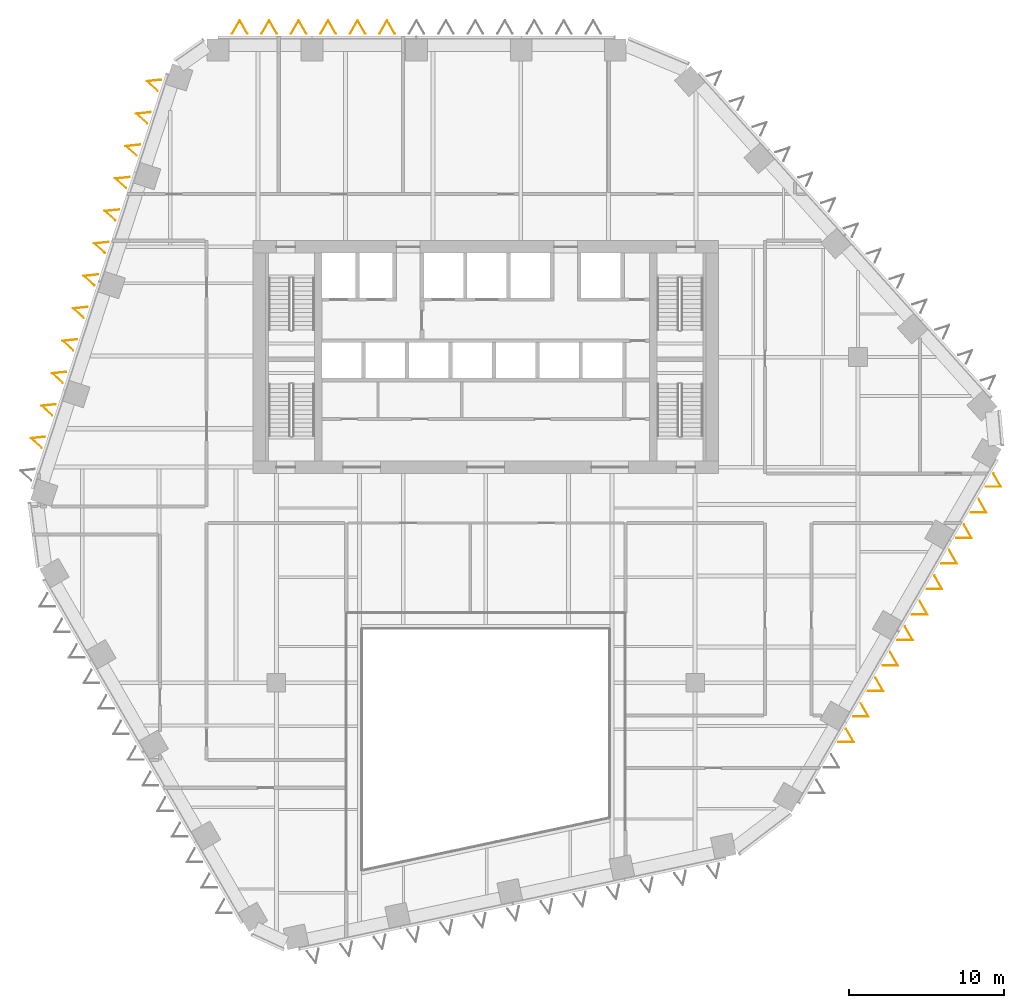
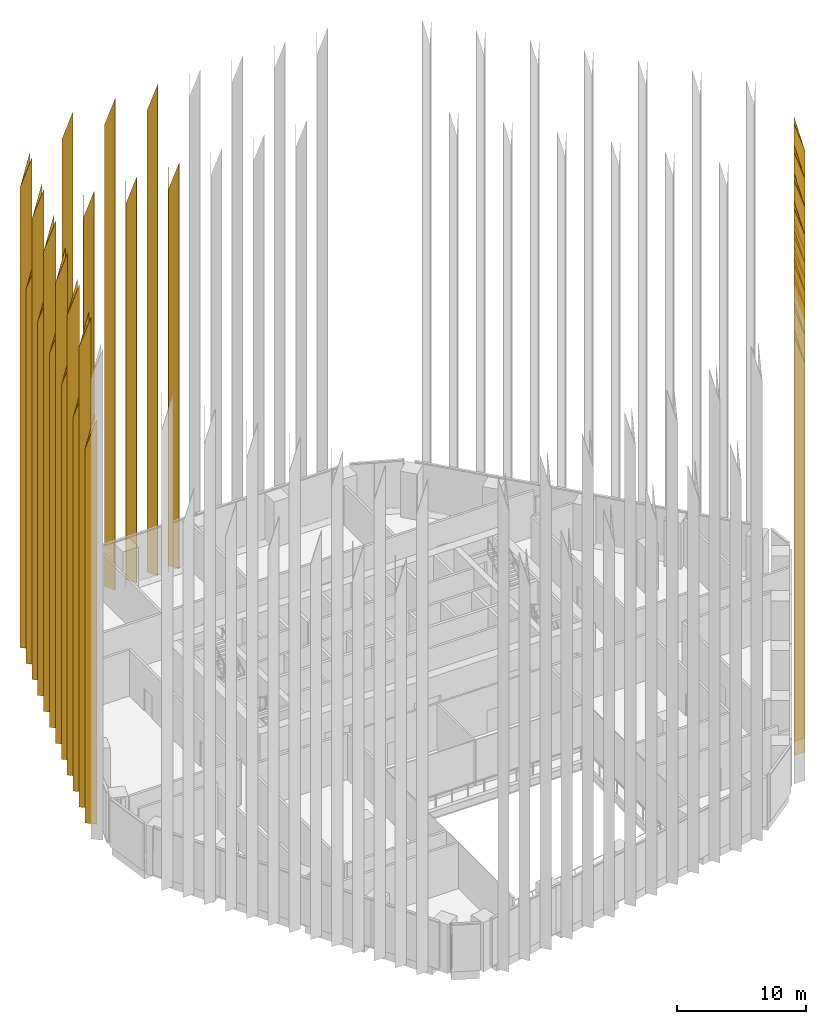
# One storey, part 17 of 18: 29 coverings.
"""IFC4 building model written with IfcOpenShell, lengths in metres."""

from ifc_helpers import new_model, si_unit, direction, frame, origin, place, context, subcontext, project, spatial, polyline, outline, faceted_brep, material, material_profile, profile_set, type_object, element, save


model = new_model("IFC4")

# Units and contexts
model_context = context("Model", 3, precision=1e-05, world=origin(), true_north=direction((0.0, 1.0)))
body_context = subcontext(model_context, "Body", "Model", "MODEL_VIEW")
ifc_project = project(units=[si_unit("LENGTHUNIT", "METRE"), si_unit("AREAUNIT", "SQUARE_METRE"), si_unit("VOLUMEUNIT", "CUBIC_METRE"), si_unit("PLANEANGLEUNIT", "RADIAN"), si_unit("MASSUNIT", "GRAM", prefix="KILO")], contexts=[model_context])

# Site, building, storey
site_placement = place(None, origin())
site = spatial("IfcSite", under=ifc_project, at=site_placement, CompositionType="ELEMENT")
building_placement = place(site_placement, origin())
building = spatial("IfcBuilding", under=site, at=building_placement, Name="Isthmus Gate Tower", CompositionType="ELEMENT")
storey_placement = place(building_placement, frame((0.0, 0.0, 166.300048828125)))
storey = spatial("IfcBuildingStorey", under=building, at=storey_placement, Name="L41", CompositionType="ELEMENT", Elevation=166.300048828125)

# Coverings
ifc_material_1 = material(Name="Structural steel ASTM A572 Gr 50, white paint system", Category="steel")
ifc_material_profile_1 = material_profile(ifc_material_1, outline(polyline([(0.0, -0.391845703125), (0.8798828125, 0.0), (0.0, 0.391845703125), (0.0, 0.35888671875), (0.80615234375, 0.0), (0.0, -0.35888671875), (0.0, -0.391845703125)])), Name="V880")
ifc_profile_set_1 = profile_set([ifc_material_profile_1], Name="Structural steel ASTM A572 Gr 50, white paint system")
covering_type_1 = type_object("IfcCoveringType", Name="FIN V 880 DEEP", PredefinedType="CLADDING", material=ifc_profile_set_1)
covering_1_placement = place(storey_placement, frame((0.0, 0.0, -166.300048828125)))
element("IfcCovering", 1, at=covering_1_placement, inside=storey, type_object=covering_type_1, Name="FIN", ObjectType="FIN", PredefinedType="CLADDING", context=body_context, shape_type="Brep", body=[
    faceted_brep([(-20.925537109375, 25.3603515625, 165.89990234375), (-21.80322265625, 25.26806640625, 165.89990234375), (-21.147216796875, 24.677734375, 165.89990234375), (-21.157470703125, 24.646484375, 165.89990234375), (-21.873291015625, 25.291015625, 165.89990234375), (-20.915283203125, 25.3916015625, 165.89990234375), (-20.915283203125, 25.3916015625, 212.39990234375), (-21.873291015625, 25.291015625, 209.39990234375), (-21.157470703125, 24.646484375, 212.39990234375), (-21.147216796875, 24.677734375, 212.39990234375), (-21.80322265625, 25.26806640625, 209.6513671875), (-20.925537109375, 25.3603515625, 212.39990234375)], [[[0, 1, 2, 3, 4, 5]], [[6, 7, 8, 9, 10, 11]], [[5, 4, 7, 6]], [[4, 3, 8, 7]], [[3, 2, 9, 8]], [[2, 1, 10, 9]], [[1, 0, 11, 10]], [[0, 5, 6, 11]]]),
])
covering_2_placement = place(storey_placement, frame((0.0, 0.0, -166.300048828125)))
element("IfcCovering", 2, at=covering_2_placement, inside=storey, type_object=covering_type_1, Name="FIN", ObjectType="FIN", PredefinedType="CLADDING", context=body_context, shape_type="Brep", body=[
    faceted_brep([(-21.60546875, 23.267822265625, 165.89990234375), (-22.483154296875, 23.175537109375, 165.89990234375), (-21.8271484375, 22.585205078125, 165.89990234375), (-21.83740234375, 22.553955078125, 165.89990234375), (-22.55322265625, 23.198486328125, 165.89990234375), (-21.59521484375, 23.299072265625, 165.89990234375), (-21.59521484375, 23.299072265625, 204.25), (-22.55322265625, 23.198486328125, 201.25), (-21.83740234375, 22.553955078125, 204.25), (-21.8271484375, 22.585205078125, 204.25), (-22.483154296875, 23.175537109375, 201.50146484375), (-21.60546875, 23.267822265625, 204.25)], [[[0, 1, 2, 3, 4, 5]], [[6, 7, 8, 9, 10, 11]], [[5, 4, 7, 6]], [[4, 3, 8, 7]], [[3, 2, 9, 8]], [[2, 1, 10, 9]], [[1, 0, 11, 10]], [[0, 5, 6, 11]]]),
])
covering_3_placement = place(storey_placement, frame((0.0, 0.0, -166.300048828125)))
element("IfcCovering", 3, at=covering_3_placement, inside=storey, type_object=covering_type_1, Name="FIN", ObjectType="FIN", PredefinedType="CLADDING", context=body_context, shape_type="Brep", body=[
    faceted_brep([(-22.285400390625, 21.175537109375, 165.89990234375), (-23.1630859375, 21.083251953125, 165.89990234375), (-22.507080078125, 20.492919921875, 165.89990234375), (-22.517333984375, 20.461669921875, 165.89990234375), (-23.233154296875, 21.106201171875, 165.89990234375), (-22.275146484375, 21.206787109375, 165.89990234375), (-22.275146484375, 21.206787109375, 212.39990234375), (-23.233154296875, 21.106201171875, 209.39990234375), (-22.517333984375, 20.461669921875, 212.39990234375), (-22.507080078125, 20.492919921875, 212.39990234375), (-23.1630859375, 21.083251953125, 209.6513671875), (-22.285400390625, 21.175537109375, 212.39990234375)], [[[0, 1, 2, 3, 4, 5]], [[6, 7, 8, 9, 10, 11]], [[5, 4, 7, 6]], [[4, 3, 8, 7]], [[3, 2, 9, 8]], [[2, 1, 10, 9]], [[1, 0, 11, 10]], [[0, 5, 6, 11]]]),
])
covering_4_placement = place(storey_placement, frame((0.0, 0.0, -166.300048828125)))
element("IfcCovering", 4, at=covering_4_placement, inside=storey, type_object=covering_type_1, Name="FIN", ObjectType="FIN", PredefinedType="CLADDING", context=body_context, shape_type="Brep", body=[
    faceted_brep([(-22.965087890625, 19.083251953125, 165.89990234375), (-23.8427734375, 18.990966796875, 165.89990234375), (-23.186767578125, 18.400634765625, 165.89990234375), (-23.197021484375, 18.369384765625, 165.89990234375), (-23.912841796875, 19.013916015625, 165.89990234375), (-22.954833984375, 19.114501953125, 165.89990234375), (-22.954833984375, 19.114501953125, 204.25), (-23.912841796875, 19.013916015625, 201.25), (-23.197021484375, 18.369384765625, 204.25), (-23.186767578125, 18.400634765625, 204.25), (-23.8427734375, 18.990966796875, 201.50146484375), (-22.965087890625, 19.083251953125, 204.25)], [[[0, 1, 2, 3, 4, 5]], [[6, 7, 8, 9, 10, 11]], [[5, 4, 7, 6]], [[4, 3, 8, 7]], [[3, 2, 9, 8]], [[2, 1, 10, 9]], [[1, 0, 11, 10]], [[0, 5, 6, 11]]]),
])
covering_5_placement = place(storey_placement, frame((0.0, 0.0, -166.300048828125)))
element("IfcCovering", 5, at=covering_5_placement, inside=storey, type_object=covering_type_1, Name="FIN", ObjectType="FIN", PredefinedType="CLADDING", context=body_context, shape_type="Brep", body=[
    faceted_brep([(-23.64501953125, 16.990966796875, 165.89990234375), (-24.522705078125, 16.898681640625, 165.89990234375), (-23.86669921875, 16.308349609375, 165.89990234375), (-23.876953125, 16.277099609375, 165.89990234375), (-24.5927734375, 16.921630859375, 165.89990234375), (-23.634765625, 17.022216796875, 165.89990234375), (-23.634765625, 17.022216796875, 212.39990234375), (-24.5927734375, 16.921630859375, 209.39990234375), (-23.876953125, 16.277099609375, 212.39990234375), (-23.86669921875, 16.308349609375, 212.39990234375), (-24.522705078125, 16.898681640625, 209.6513671875), (-23.64501953125, 16.990966796875, 212.39990234375)], [[[0, 1, 2, 3, 4, 5]], [[6, 7, 8, 9, 10, 11]], [[5, 4, 7, 6]], [[4, 3, 8, 7]], [[3, 2, 9, 8]], [[2, 1, 10, 9]], [[1, 0, 11, 10]], [[0, 5, 6, 11]]]),
])
covering_6_placement = place(storey_placement, frame((0.0, 0.0, -166.300048828125)))
element("IfcCovering", 6, at=covering_6_placement, inside=storey, type_object=covering_type_1, Name="FIN", ObjectType="FIN", PredefinedType="CLADDING", context=body_context, shape_type="Brep", body=[
    faceted_brep([(-24.32470703125, 14.898681640625, 165.89990234375), (-25.202392578125, 14.806396484375, 165.89990234375), (-24.54638671875, 14.216064453125, 165.89990234375), (-24.556640625, 14.184814453125, 165.89990234375), (-25.2724609375, 14.829345703125, 165.89990234375), (-24.314453125, 14.929931640625, 165.89990234375), (-24.314453125, 14.929931640625, 204.25), (-25.2724609375, 14.829345703125, 201.25), (-24.556640625, 14.184814453125, 204.25), (-24.54638671875, 14.216064453125, 204.25), (-25.202392578125, 14.806396484375, 201.50146484375), (-24.32470703125, 14.898681640625, 204.25)], [[[0, 1, 2, 3, 4, 5]], [[6, 7, 8, 9, 10, 11]], [[5, 4, 7, 6]], [[4, 3, 8, 7]], [[3, 2, 9, 8]], [[2, 1, 10, 9]], [[1, 0, 11, 10]], [[0, 5, 6, 11]]]),
])
covering_7_placement = place(storey_placement, frame((0.0, 0.0, -166.300048828125)))
element("IfcCovering", 7, at=covering_7_placement, inside=storey, type_object=covering_type_1, Name="FIN", ObjectType="FIN", PredefinedType="CLADDING", context=body_context, shape_type="Brep", body=[
    faceted_brep([(-25.004638671875, 12.806396484375, 165.89990234375), (-25.88232421875, 12.714111328125, 165.89990234375), (-25.226318359375, 12.123779296875, 165.89990234375), (-25.236572265625, 12.092529296875, 165.89990234375), (-25.952392578125, 12.737060546875, 165.89990234375), (-24.994384765625, 12.837646484375, 165.89990234375), (-24.994384765625, 12.837646484375, 212.39990234375), (-25.952392578125, 12.737060546875, 209.39990234375), (-25.236572265625, 12.092529296875, 212.39990234375), (-25.226318359375, 12.123779296875, 212.39990234375), (-25.88232421875, 12.714111328125, 209.6513671875), (-25.004638671875, 12.806396484375, 212.39990234375)], [[[0, 1, 2, 3, 4, 5]], [[6, 7, 8, 9, 10, 11]], [[5, 4, 7, 6]], [[4, 3, 8, 7]], [[3, 2, 9, 8]], [[2, 1, 10, 9]], [[1, 0, 11, 10]], [[0, 5, 6, 11]]]),
])
covering_8_placement = place(storey_placement, frame((0.0, 0.0, -166.300048828125)))
element("IfcCovering", 8, at=covering_8_placement, inside=storey, type_object=covering_type_1, Name="FIN", ObjectType="FIN", PredefinedType="CLADDING", context=body_context, shape_type="Brep", body=[
    faceted_brep([(-25.6845703125, 10.7138671875, 165.89990234375), (-26.562255859375, 10.62158203125, 165.89990234375), (-25.90625, 10.03125, 165.89990234375), (-25.91650390625, 10.0, 165.89990234375), (-26.63232421875, 10.64453125, 165.89990234375), (-25.67431640625, 10.7451171875, 165.89990234375), (-25.67431640625, 10.7451171875, 204.25), (-26.63232421875, 10.64453125, 201.25), (-25.91650390625, 10.0, 204.25), (-25.90625, 10.03125, 204.25), (-26.562255859375, 10.62158203125, 201.50146484375), (-25.6845703125, 10.7138671875, 204.25)], [[[0, 1, 2, 3, 4, 5]], [[6, 7, 8, 9, 10, 11]], [[5, 4, 7, 6]], [[4, 3, 8, 7]], [[3, 2, 9, 8]], [[2, 1, 10, 9]], [[1, 0, 11, 10]], [[0, 5, 6, 11]]]),
])
covering_9_placement = place(storey_placement, frame((0.0, 0.0, -166.300048828125)))
element("IfcCovering", 9, at=covering_9_placement, inside=storey, type_object=covering_type_1, Name="FIN", ObjectType="FIN", PredefinedType="CLADDING", context=body_context, shape_type="Brep", body=[
    faceted_brep([(-26.3642578125, 8.62158203125, 165.89990234375), (-27.241943359375, 8.529296875, 165.89990234375), (-26.5859375, 7.93896484375, 165.89990234375), (-26.59619140625, 7.90771484375, 165.89990234375), (-27.31201171875, 8.55224609375, 165.89990234375), (-26.35400390625, 8.65283203125, 165.89990234375), (-26.35400390625, 8.65283203125, 212.39990234375), (-27.31201171875, 8.55224609375, 209.39990234375), (-26.59619140625, 7.90771484375, 212.39990234375), (-26.5859375, 7.93896484375, 212.39990234375), (-27.241943359375, 8.529296875, 209.6513671875), (-26.3642578125, 8.62158203125, 212.39990234375)], [[[0, 1, 2, 3, 4, 5]], [[6, 7, 8, 9, 10, 11]], [[5, 4, 7, 6]], [[4, 3, 8, 7]], [[3, 2, 9, 8]], [[2, 1, 10, 9]], [[1, 0, 11, 10]], [[0, 5, 6, 11]]]),
])
covering_10_placement = place(storey_placement, frame((0.0, 0.0, -166.300048828125)))
element("IfcCovering", 10, at=covering_10_placement, inside=storey, type_object=covering_type_1, Name="FIN", ObjectType="FIN", PredefinedType="CLADDING", context=body_context, shape_type="Brep", body=[
    faceted_brep([(-27.044189453125, 6.529296875, 165.89990234375), (-27.921875, 6.43701171875, 165.89990234375), (-27.265869140625, 5.8466796875, 165.89990234375), (-27.276123046875, 5.8154296875, 165.89990234375), (-27.991943359375, 6.4599609375, 165.89990234375), (-27.033935546875, 6.560546875, 165.89990234375), (-27.033935546875, 6.560546875, 204.25), (-27.991943359375, 6.4599609375, 201.25), (-27.276123046875, 5.8154296875, 204.25), (-27.265869140625, 5.8466796875, 204.25), (-27.921875, 6.43701171875, 201.50146484375), (-27.044189453125, 6.529296875, 204.25)], [[[0, 1, 2, 3, 4, 5]], [[6, 7, 8, 9, 10, 11]], [[5, 4, 7, 6]], [[4, 3, 8, 7]], [[3, 2, 9, 8]], [[2, 1, 10, 9]], [[1, 0, 11, 10]], [[0, 5, 6, 11]]]),
])
covering_11_placement = place(storey_placement, frame((0.0, 0.0, -166.300048828125)))
element("IfcCovering", 11, at=covering_11_placement, inside=storey, type_object=covering_type_1, Name="FIN", ObjectType="FIN", PredefinedType="CLADDING", context=body_context, shape_type="Brep", body=[
    faceted_brep([(-27.723876953125, 4.43701171875, 165.89990234375), (-28.6015625, 4.3447265625, 165.89990234375), (-27.945556640625, 3.75439453125, 165.89990234375), (-27.955810546875, 3.72314453125, 165.89990234375), (-28.671630859375, 4.36767578125, 165.89990234375), (-27.713623046875, 4.46826171875, 165.89990234375), (-27.713623046875, 4.46826171875, 212.39990234375), (-28.671630859375, 4.36767578125, 209.39990234375), (-27.955810546875, 3.72314453125, 212.39990234375), (-27.945556640625, 3.75439453125, 212.39990234375), (-28.6015625, 4.3447265625, 209.6513671875), (-27.723876953125, 4.43701171875, 212.39990234375)], [[[0, 1, 2, 3, 4, 5]], [[6, 7, 8, 9, 10, 11]], [[5, 4, 7, 6]], [[4, 3, 8, 7]], [[3, 2, 9, 8]], [[2, 1, 10, 9]], [[1, 0, 11, 10]], [[0, 5, 6, 11]]]),
])
covering_12_placement = place(storey_placement, frame((0.0, 0.0, -166.300048828125)))
element("IfcCovering", 12, at=covering_12_placement, inside=storey, type_object=covering_type_1, Name="FIN", ObjectType="FIN", PredefinedType="CLADDING", context=body_context, shape_type="Brep", body=[
    faceted_brep([(-28.40380859375, 2.3447265625, 165.89990234375), (-29.281494140625, 2.25244140625, 165.89990234375), (-28.62548828125, 1.662109375, 165.89990234375), (-28.6357421875, 1.630859375, 165.89990234375), (-29.3515625, 2.275390625, 165.89990234375), (-28.3935546875, 2.3759765625, 165.89990234375), (-28.3935546875, 2.3759765625, 204.25), (-29.3515625, 2.275390625, 201.25), (-28.6357421875, 1.630859375, 204.25), (-28.62548828125, 1.662109375, 204.25), (-29.281494140625, 2.25244140625, 201.50146484375), (-28.40380859375, 2.3447265625, 204.25)], [[[0, 1, 2, 3, 4, 5]], [[6, 7, 8, 9, 10, 11]], [[5, 4, 7, 6]], [[4, 3, 8, 7]], [[3, 2, 9, 8]], [[2, 1, 10, 9]], [[1, 0, 11, 10]], [[0, 5, 6, 11]]]),
])
ifc_material_2 = material(Name="Structural steel ASTM A572 Gr 50, white paint system", Category="steel")
ifc_material_profile_2 = material_profile(ifc_material_2, outline(polyline([(0.0, -0.508056640625), (0.8798828125, 0.0), (0.0, 0.508056640625), (0.0, 0.473388671875), (0.820068359375, 0.0), (0.0, -0.473388671875), (0.0, -0.508056640625)])), Name="V880W")
ifc_profile_set_2 = profile_set([ifc_material_profile_2], Name="Structural steel ASTM A572 Gr 50, white paint system")
covering_type_2 = type_object("IfcCoveringType", Name="FIN V 880 DEEP WIDE", PredefinedType="CLADDING", material=ifc_profile_set_2)
covering_13_placement = place(storey_placement, frame((0.0, 0.0, -166.300048828125)))
element("IfcCovering", 13, at=covering_13_placement, inside=storey, type_object=covering_type_2, Name="FIN", ObjectType="FIN", PredefinedType="CLADDING", context=body_context, shape_type="Brep", body=[
    faceted_brep([(-5.888427734375, 28.35009765625, 165.89990234375), (-6.36181640625, 29.170166015625, 165.89990234375), (-6.835205078125, 28.35009765625, 165.89990234375), (-6.869873046875, 28.35009765625, 165.89990234375), (-6.36181640625, 29.22998046875, 165.89990234375), (-5.853759765625, 28.35009765625, 165.89990234375), (-5.853759765625, 28.35009765625, 204.25), (-6.36181640625, 29.22998046875, 201.25), (-6.869873046875, 28.35009765625, 204.25), (-6.835205078125, 28.35009765625, 204.25), (-6.36181640625, 29.170166015625, 201.45458984375), (-5.888427734375, 28.35009765625, 204.25)], [[[0, 1, 2, 3, 4, 5]], [[6, 7, 8, 9, 10, 11]], [[5, 4, 7, 6]], [[4, 3, 8, 7]], [[3, 2, 9, 8]], [[2, 1, 10, 9]], [[1, 0, 11, 10]], [[0, 5, 6, 11]]]),
])
covering_14_placement = place(storey_placement, frame((0.0, 0.0, -166.300048828125)))
element("IfcCovering", 14, at=covering_14_placement, inside=storey, type_object=covering_type_2, Name="FIN", ObjectType="FIN", PredefinedType="CLADDING", context=body_context, shape_type="Brep", body=[
    faceted_brep([(-7.788330078125, 28.35009765625, 165.89990234375), (-8.26171875, 29.170166015625, 165.89990234375), (-8.735107421875, 28.35009765625, 165.89990234375), (-8.769775390625, 28.35009765625, 165.89990234375), (-8.26171875, 29.22998046875, 165.89990234375), (-7.753662109375, 28.35009765625, 165.89990234375), (-7.753662109375, 28.35009765625, 212.39990234375), (-8.26171875, 29.22998046875, 209.39990234375), (-8.769775390625, 28.35009765625, 212.39990234375), (-8.735107421875, 28.35009765625, 212.39990234375), (-8.26171875, 29.170166015625, 209.6044921875), (-7.788330078125, 28.35009765625, 212.39990234375)], [[[0, 1, 2, 3, 4, 5]], [[6, 7, 8, 9, 10, 11]], [[5, 4, 7, 6]], [[4, 3, 8, 7]], [[3, 2, 9, 8]], [[2, 1, 10, 9]], [[1, 0, 11, 10]], [[0, 5, 6, 11]]]),
])
covering_15_placement = place(storey_placement, frame((0.0, 0.0, -166.300048828125)))
element("IfcCovering", 15, at=covering_15_placement, inside=storey, type_object=covering_type_2, Name="FIN", ObjectType="FIN", PredefinedType="CLADDING", context=body_context, shape_type="Brep", body=[
    faceted_brep([(-9.688232421875, 28.35009765625, 165.89990234375), (-10.16162109375, 29.170166015625, 165.89990234375), (-10.635009765625, 28.35009765625, 165.89990234375), (-10.669677734375, 28.35009765625, 165.89990234375), (-10.16162109375, 29.22998046875, 165.89990234375), (-9.653564453125, 28.35009765625, 165.89990234375), (-9.653564453125, 28.35009765625, 204.25), (-10.16162109375, 29.22998046875, 201.25), (-10.669677734375, 28.35009765625, 204.25), (-10.635009765625, 28.35009765625, 204.25), (-10.16162109375, 29.170166015625, 201.45458984375), (-9.688232421875, 28.35009765625, 204.25)], [[[0, 1, 2, 3, 4, 5]], [[6, 7, 8, 9, 10, 11]], [[5, 4, 7, 6]], [[4, 3, 8, 7]], [[3, 2, 9, 8]], [[2, 1, 10, 9]], [[1, 0, 11, 10]], [[0, 5, 6, 11]]]),
])
covering_16_placement = place(storey_placement, frame((0.0, 0.0, -166.300048828125)))
element("IfcCovering", 16, at=covering_16_placement, inside=storey, type_object=covering_type_2, Name="FIN", ObjectType="FIN", PredefinedType="CLADDING", context=body_context, shape_type="Brep", body=[
    faceted_brep([(-11.58837890625, 28.35009765625, 165.89990234375), (-12.061767578125, 29.170166015625, 165.89990234375), (-12.53515625, 28.35009765625, 165.89990234375), (-12.56982421875, 28.35009765625, 165.89990234375), (-12.061767578125, 29.22998046875, 165.89990234375), (-11.5537109375, 28.35009765625, 165.89990234375), (-11.5537109375, 28.35009765625, 212.39990234375), (-12.061767578125, 29.22998046875, 209.39990234375), (-12.56982421875, 28.35009765625, 212.39990234375), (-12.53515625, 28.35009765625, 212.39990234375), (-12.061767578125, 29.170166015625, 209.6044921875), (-11.58837890625, 28.35009765625, 212.39990234375)], [[[0, 1, 2, 3, 4, 5]], [[6, 7, 8, 9, 10, 11]], [[5, 4, 7, 6]], [[4, 3, 8, 7]], [[3, 2, 9, 8]], [[2, 1, 10, 9]], [[1, 0, 11, 10]], [[0, 5, 6, 11]]]),
])
covering_17_placement = place(storey_placement, frame((0.0, 0.0, -166.300048828125)))
element("IfcCovering", 17, at=covering_17_placement, inside=storey, type_object=covering_type_2, Name="FIN", ObjectType="FIN", PredefinedType="CLADDING", context=body_context, shape_type="Brep", body=[
    faceted_brep([(-13.48828125, 28.35009765625, 165.89990234375), (-13.961669921875, 29.170166015625, 165.89990234375), (-14.43505859375, 28.35009765625, 165.89990234375), (-14.4697265625, 28.35009765625, 165.89990234375), (-13.961669921875, 29.22998046875, 165.89990234375), (-13.45361328125, 28.35009765625, 165.89990234375), (-13.45361328125, 28.35009765625, 204.25), (-13.961669921875, 29.22998046875, 201.25), (-14.4697265625, 28.35009765625, 204.25), (-14.43505859375, 28.35009765625, 204.25), (-13.961669921875, 29.170166015625, 201.45458984375), (-13.48828125, 28.35009765625, 204.25)], [[[0, 1, 2, 3, 4, 5]], [[6, 7, 8, 9, 10, 11]], [[5, 4, 7, 6]], [[4, 3, 8, 7]], [[3, 2, 9, 8]], [[2, 1, 10, 9]], [[1, 0, 11, 10]], [[0, 5, 6, 11]]]),
])
covering_18_placement = place(storey_placement, frame((0.0, 0.0, -166.300048828125)))
element("IfcCovering", 18, at=covering_18_placement, inside=storey, type_object=covering_type_2, Name="FIN", ObjectType="FIN", PredefinedType="CLADDING", context=body_context, shape_type="Brep", body=[
    faceted_brep([(-15.388427734375, 28.35009765625, 165.89990234375), (-15.86181640625, 29.170166015625, 165.89990234375), (-16.335205078125, 28.35009765625, 165.89990234375), (-16.369873046875, 28.35009765625, 165.89990234375), (-15.86181640625, 29.22998046875, 165.89990234375), (-15.353759765625, 28.35009765625, 165.89990234375), (-15.353759765625, 28.35009765625, 212.39990234375), (-15.86181640625, 29.22998046875, 209.39990234375), (-16.369873046875, 28.35009765625, 212.39990234375), (-16.335205078125, 28.35009765625, 212.39990234375), (-15.86181640625, 29.170166015625, 209.6044921875), (-15.388427734375, 28.35009765625, 212.39990234375)], [[[0, 1, 2, 3, 4, 5]], [[6, 7, 8, 9, 10, 11]], [[5, 4, 7, 6]], [[4, 3, 8, 7]], [[3, 2, 9, 8]], [[2, 1, 10, 9]], [[1, 0, 11, 10]], [[0, 5, 6, 11]]]),
])
covering_19_placement = place(storey_placement, frame((0.0, 0.0, -166.300048828125)))
element("IfcCovering", 19, at=covering_19_placement, inside=storey, type_object=covering_type_2, Name="FIN", ObjectType="FIN", PredefinedType="CLADDING", context=body_context, shape_type="Brep", body=[
    faceted_brep([(22.745849609375, -17.302734375, 165.89990234375), (23.69287109375, -17.302734375, 165.89990234375), (23.219482421875, -16.48291015625, 165.89990234375), (23.23681640625, -16.452880859375, 165.89990234375), (23.744873046875, -17.332763671875, 165.89990234375), (22.728515625, -17.332763671875, 165.89990234375), (22.728515625, -17.332763671875, 212.39990234375), (23.744873046875, -17.332763671875, 209.39990234375), (23.23681640625, -16.452880859375, 212.39990234375), (23.219482421875, -16.48291015625, 212.39990234375), (23.69287109375, -17.302734375, 209.6044921875), (22.745849609375, -17.302734375, 212.39990234375)], [[[0, 1, 2, 3, 4, 5]], [[6, 7, 8, 9, 10, 11]], [[5, 4, 7, 6]], [[4, 3, 8, 7]], [[3, 2, 9, 8]], [[2, 1, 10, 9]], [[1, 0, 11, 10]], [[0, 5, 6, 11]]]),
])
covering_20_placement = place(storey_placement, frame((0.0, 0.0, -166.300048828125)))
element("IfcCovering", 20, at=covering_20_placement, inside=storey, type_object=covering_type_2, Name="FIN", ObjectType="FIN", PredefinedType="CLADDING", context=body_context, shape_type="Brep", body=[
    faceted_brep([(23.69580078125, -15.6572265625, 165.89990234375), (24.642822265625, -15.6572265625, 165.89990234375), (24.16943359375, -14.83740234375, 165.89990234375), (24.186767578125, -14.807373046875, 165.89990234375), (24.69482421875, -15.687255859375, 165.89990234375), (23.678466796875, -15.687255859375, 165.89990234375), (23.678466796875, -15.687255859375, 204.25), (24.69482421875, -15.687255859375, 201.25), (24.186767578125, -14.807373046875, 204.25), (24.16943359375, -14.83740234375, 204.25), (24.642822265625, -15.6572265625, 201.45458984375), (23.69580078125, -15.6572265625, 204.25)], [[[0, 1, 2, 3, 4, 5]], [[6, 7, 8, 9, 10, 11]], [[5, 4, 7, 6]], [[4, 3, 8, 7]], [[3, 2, 9, 8]], [[2, 1, 10, 9]], [[1, 0, 11, 10]], [[0, 5, 6, 11]]]),
])
covering_21_placement = place(storey_placement, frame((0.0, 0.0, -166.300048828125)))
element("IfcCovering", 21, at=covering_21_placement, inside=storey, type_object=covering_type_2, Name="FIN", ObjectType="FIN", PredefinedType="CLADDING", context=body_context, shape_type="Brep", body=[
    faceted_brep([(24.645751953125, -14.011962890625, 165.89990234375), (25.5927734375, -14.011962890625, 165.89990234375), (25.119384765625, -13.192138671875, 165.89990234375), (25.13671875, -13.162109375, 165.89990234375), (25.644775390625, -14.0419921875, 165.89990234375), (24.62841796875, -14.0419921875, 165.89990234375), (24.62841796875, -14.0419921875, 212.39990234375), (25.644775390625, -14.0419921875, 209.39990234375), (25.13671875, -13.162109375, 212.39990234375), (25.119384765625, -13.192138671875, 212.39990234375), (25.5927734375, -14.011962890625, 209.6044921875), (24.645751953125, -14.011962890625, 212.39990234375)], [[[0, 1, 2, 3, 4, 5]], [[6, 7, 8, 9, 10, 11]], [[5, 4, 7, 6]], [[4, 3, 8, 7]], [[3, 2, 9, 8]], [[2, 1, 10, 9]], [[1, 0, 11, 10]], [[0, 5, 6, 11]]]),
])
covering_22_placement = place(storey_placement, frame((0.0, 0.0, -166.300048828125)))
element("IfcCovering", 22, at=covering_22_placement, inside=storey, type_object=covering_type_2, Name="FIN", ObjectType="FIN", PredefinedType="CLADDING", context=body_context, shape_type="Brep", body=[
    faceted_brep([(25.595947265625, -12.366455078125, 165.89990234375), (26.54296875, -12.366455078125, 165.89990234375), (26.069580078125, -11.546630859375, 165.89990234375), (26.0869140625, -11.5166015625, 165.89990234375), (26.594970703125, -12.396484375, 165.89990234375), (25.57861328125, -12.396484375, 165.89990234375), (25.57861328125, -12.396484375, 204.25), (26.594970703125, -12.396484375, 201.25), (26.0869140625, -11.5166015625, 204.25), (26.069580078125, -11.546630859375, 204.25), (26.54296875, -12.366455078125, 201.45458984375), (25.595947265625, -12.366455078125, 204.25)], [[[0, 1, 2, 3, 4, 5]], [[6, 7, 8, 9, 10, 11]], [[5, 4, 7, 6]], [[4, 3, 8, 7]], [[3, 2, 9, 8]], [[2, 1, 10, 9]], [[1, 0, 11, 10]], [[0, 5, 6, 11]]]),
])
covering_23_placement = place(storey_placement, frame((0.0, 0.0, -166.300048828125)))
element("IfcCovering", 23, at=covering_23_placement, inside=storey, type_object=covering_type_2, Name="FIN", ObjectType="FIN", PredefinedType="CLADDING", context=body_context, shape_type="Brep", body=[
    faceted_brep([(26.5458984375, -10.720947265625, 165.89990234375), (27.492919921875, -10.720947265625, 165.89990234375), (27.01953125, -9.901123046875, 165.89990234375), (27.036865234375, -9.87109375, 165.89990234375), (27.544921875, -10.7509765625, 165.89990234375), (26.528564453125, -10.7509765625, 165.89990234375), (26.528564453125, -10.7509765625, 212.39990234375), (27.544921875, -10.7509765625, 209.39990234375), (27.036865234375, -9.87109375, 212.39990234375), (27.01953125, -9.901123046875, 212.39990234375), (27.492919921875, -10.720947265625, 209.6044921875), (26.5458984375, -10.720947265625, 212.39990234375)], [[[0, 1, 2, 3, 4, 5]], [[6, 7, 8, 9, 10, 11]], [[5, 4, 7, 6]], [[4, 3, 8, 7]], [[3, 2, 9, 8]], [[2, 1, 10, 9]], [[1, 0, 11, 10]], [[0, 5, 6, 11]]]),
])
covering_24_placement = place(storey_placement, frame((0.0, 0.0, -166.300048828125)))
element("IfcCovering", 24, at=covering_24_placement, inside=storey, type_object=covering_type_2, Name="FIN", ObjectType="FIN", PredefinedType="CLADDING", context=body_context, shape_type="Brep", body=[
    faceted_brep([(27.495849609375, -9.075439453125, 165.89990234375), (28.44287109375, -9.075439453125, 165.89990234375), (27.969482421875, -8.255615234375, 165.89990234375), (27.98681640625, -8.2255859375, 165.89990234375), (28.494873046875, -9.10546875, 165.89990234375), (27.478515625, -9.10546875, 165.89990234375), (27.478515625, -9.10546875, 204.25), (28.494873046875, -9.10546875, 201.25), (27.98681640625, -8.2255859375, 204.25), (27.969482421875, -8.255615234375, 204.25), (28.44287109375, -9.075439453125, 201.45458984375), (27.495849609375, -9.075439453125, 204.25)], [[[0, 1, 2, 3, 4, 5]], [[6, 7, 8, 9, 10, 11]], [[5, 4, 7, 6]], [[4, 3, 8, 7]], [[3, 2, 9, 8]], [[2, 1, 10, 9]], [[1, 0, 11, 10]], [[0, 5, 6, 11]]]),
])
covering_25_placement = place(storey_placement, frame((0.0, 0.0, -166.300048828125)))
element("IfcCovering", 25, at=covering_25_placement, inside=storey, type_object=covering_type_2, Name="FIN", ObjectType="FIN", PredefinedType="CLADDING", context=body_context, shape_type="Brep", body=[
    faceted_brep([(28.44580078125, -7.43017578125, 165.89990234375), (29.392822265625, -7.43017578125, 165.89990234375), (28.91943359375, -6.6103515625, 165.89990234375), (28.936767578125, -6.580322265625, 165.89990234375), (29.44482421875, -7.460205078125, 165.89990234375), (28.428466796875, -7.460205078125, 165.89990234375), (28.428466796875, -7.460205078125, 212.39990234375), (29.44482421875, -7.460205078125, 209.39990234375), (28.936767578125, -6.580322265625, 212.39990234375), (28.91943359375, -6.6103515625, 212.39990234375), (29.392822265625, -7.43017578125, 209.6044921875), (28.44580078125, -7.43017578125, 212.39990234375)], [[[0, 1, 2, 3, 4, 5]], [[6, 7, 8, 9, 10, 11]], [[5, 4, 7, 6]], [[4, 3, 8, 7]], [[3, 2, 9, 8]], [[2, 1, 10, 9]], [[1, 0, 11, 10]], [[0, 5, 6, 11]]]),
])
covering_26_placement = place(storey_placement, frame((0.0, 0.0, -166.300048828125)))
element("IfcCovering", 26, at=covering_26_placement, inside=storey, type_object=covering_type_2, Name="FIN", ObjectType="FIN", PredefinedType="CLADDING", context=body_context, shape_type="Brep", body=[
    faceted_brep([(29.395751953125, -5.78466796875, 165.89990234375), (30.3427734375, -5.78466796875, 165.89990234375), (29.869384765625, -4.96484375, 165.89990234375), (29.88671875, -4.934814453125, 165.89990234375), (30.394775390625, -5.814697265625, 165.89990234375), (29.37841796875, -5.814697265625, 165.89990234375), (29.37841796875, -5.814697265625, 204.25), (30.394775390625, -5.814697265625, 201.25), (29.88671875, -4.934814453125, 204.25), (29.869384765625, -4.96484375, 204.25), (30.3427734375, -5.78466796875, 201.45458984375), (29.395751953125, -5.78466796875, 204.25)], [[[0, 1, 2, 3, 4, 5]], [[6, 7, 8, 9, 10, 11]], [[5, 4, 7, 6]], [[4, 3, 8, 7]], [[3, 2, 9, 8]], [[2, 1, 10, 9]], [[1, 0, 11, 10]], [[0, 5, 6, 11]]]),
])
covering_27_placement = place(storey_placement, frame((0.0, 0.0, -166.300048828125)))
element("IfcCovering", 27, at=covering_27_placement, inside=storey, type_object=covering_type_2, Name="FIN", ObjectType="FIN", PredefinedType="CLADDING", context=body_context, shape_type="Brep", body=[
    faceted_brep([(30.345947265625, -4.13916015625, 165.89990234375), (31.29296875, -4.13916015625, 165.89990234375), (30.819580078125, -3.3193359375, 165.89990234375), (30.8369140625, -3.289306640625, 165.89990234375), (31.344970703125, -4.169189453125, 165.89990234375), (30.32861328125, -4.169189453125, 165.89990234375), (30.32861328125, -4.169189453125, 212.39990234375), (31.344970703125, -4.169189453125, 209.39990234375), (30.8369140625, -3.289306640625, 212.39990234375), (30.819580078125, -3.3193359375, 212.39990234375), (31.29296875, -4.13916015625, 209.6044921875), (30.345947265625, -4.13916015625, 212.39990234375)], [[[0, 1, 2, 3, 4, 5]], [[6, 7, 8, 9, 10, 11]], [[5, 4, 7, 6]], [[4, 3, 8, 7]], [[3, 2, 9, 8]], [[2, 1, 10, 9]], [[1, 0, 11, 10]], [[0, 5, 6, 11]]]),
])
covering_28_placement = place(storey_placement, frame((0.0, 0.0, -166.300048828125)))
element("IfcCovering", 28, at=covering_28_placement, inside=storey, type_object=covering_type_2, Name="FIN", ObjectType="FIN", PredefinedType="CLADDING", context=body_context, shape_type="Brep", body=[
    faceted_brep([(31.2958984375, -2.49365234375, 165.89990234375), (32.242919921875, -2.49365234375, 165.89990234375), (31.76953125, -1.673828125, 165.89990234375), (31.786865234375, -1.643798828125, 165.89990234375), (32.294921875, -2.523681640625, 165.89990234375), (31.278564453125, -2.523681640625, 165.89990234375), (31.278564453125, -2.523681640625, 204.25), (32.294921875, -2.523681640625, 201.25), (31.786865234375, -1.643798828125, 204.25), (31.76953125, -1.673828125, 204.25), (32.242919921875, -2.49365234375, 201.45458984375), (31.2958984375, -2.49365234375, 204.25)], [[[0, 1, 2, 3, 4, 5]], [[6, 7, 8, 9, 10, 11]], [[5, 4, 7, 6]], [[4, 3, 8, 7]], [[3, 2, 9, 8]], [[2, 1, 10, 9]], [[1, 0, 11, 10]], [[0, 5, 6, 11]]]),
])
covering_29_placement = place(storey_placement, frame((0.0, 0.0, -166.300048828125)))
element("IfcCovering", 29, at=covering_29_placement, inside=storey, type_object=covering_type_2, Name="FIN", ObjectType="FIN", PredefinedType="CLADDING", context=body_context, shape_type="Brep", body=[
    faceted_brep([(32.245849609375, -0.848388671875, 165.89990234375), (33.19287109375, -0.848388671875, 165.89990234375), (32.719482421875, -0.028564453125, 165.89990234375), (32.73681640625, 0.00146484375, 165.89990234375), (33.244873046875, -0.87841796875, 165.89990234375), (32.228515625, -0.87841796875, 165.89990234375), (32.228515625, -0.87841796875, 212.39990234375), (33.244873046875, -0.87841796875, 209.39990234375), (32.73681640625, 0.00146484375, 212.39990234375), (32.719482421875, -0.028564453125, 212.39990234375), (33.19287109375, -0.848388671875, 209.6044921875), (32.245849609375, -0.848388671875, 212.39990234375)], [[[0, 1, 2, 3, 4, 5]], [[6, 7, 8, 9, 10, 11]], [[5, 4, 7, 6]], [[4, 3, 8, 7]], [[3, 2, 9, 8]], [[2, 1, 10, 9]], [[1, 0, 11, 10]], [[0, 5, 6, 11]]]),
])

save(model, "model.ifc")
